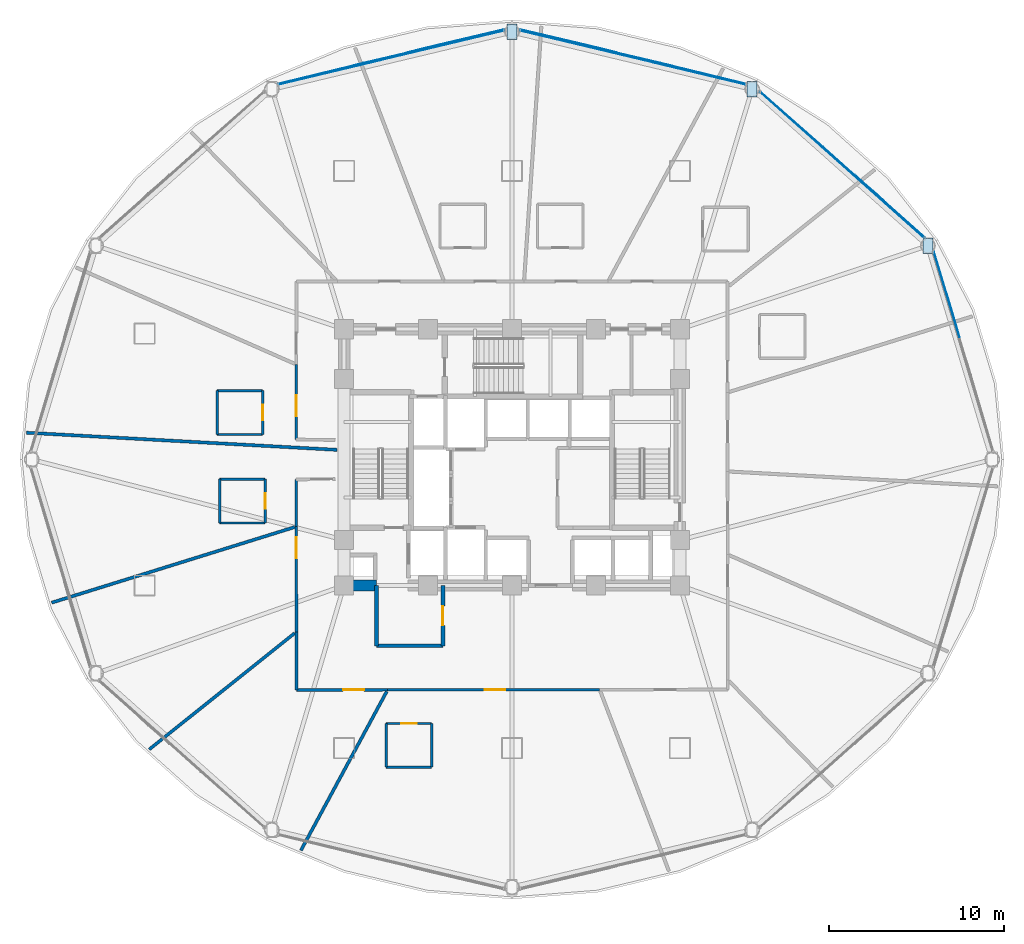
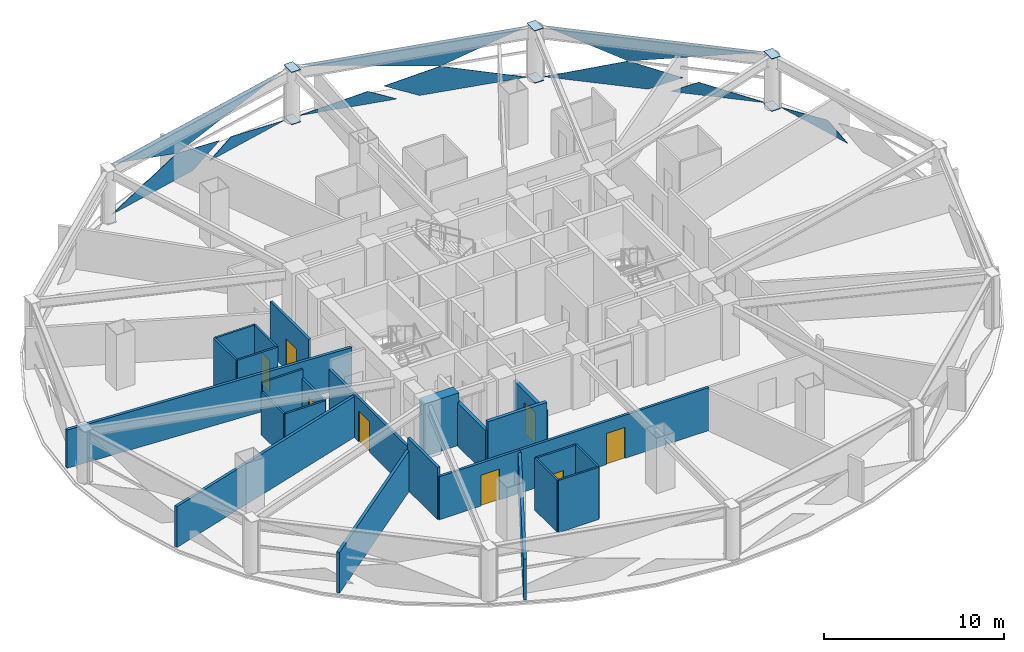
# One storey, part 21 of 29: 26 walls, 16 plates, 8 doors, 8 openings, 4 elements without a shape of their own.
"""IFC4 building model written with IfcOpenShell, lengths in metres."""

from ifc_helpers import new_model, si_unit, direction, frame, frame_2d, origin, place, context, subcontext, project, spatial, polyline, rectangle, outline, extrude, material, layer, layer_set, type_object, element, fill, aggregate, save


model = new_model("IFC4")

# Units and contexts
model_context = context("Model", 3, precision=1e-05, world=origin(), true_north=direction((0.0, 1.0)))
body_context = subcontext(model_context, "Body", "Model", "MODEL_VIEW")
ifc_project = project(units=[si_unit("LENGTHUNIT", "METRE"), si_unit("AREAUNIT", "SQUARE_METRE"), si_unit("VOLUMEUNIT", "CUBIC_METRE"), si_unit("PLANEANGLEUNIT", "RADIAN"), si_unit("MASSUNIT", "GRAM", prefix="KILO")], contexts=[model_context])

# Site, building, storey
site_placement = place(None, origin())
site = spatial("IfcSite", under=ifc_project, at=site_placement, CompositionType="ELEMENT")
building_placement = place(site_placement, origin())
building = spatial("IfcBuilding", under=site, at=building_placement, Name="Vantalir Tower", CompositionType="ELEMENT")
storey_placement = place(building_placement, frame((0.0, 0.0, 60.75)))
storey = spatial("IfcBuildingStorey", under=building, at=storey_placement, Name="L14", CompositionType="ELEMENT", Elevation=60.75)

# Curtain wall, plate
ifc_material_1 = material(Name="Champagne-silver PVDF aluminium and double-silver Low-E glass", Category="aluminium")
ifc_layer_1 = layer(ifc_material_1, 0.18994140625)
ifc_layer_set_1 = layer_set([ifc_layer_1], Name="Champagne-silver PVDF aluminium and double-silver Low-E glass")
curtain_wall_type = type_object("IfcCurtainWallType", Name="CW-DIAMOND-Z1", PredefinedType="USERDEFINED", material=ifc_layer_set_1)
curtain_wall_1_placement = place(storey_placement, origin())
curtain_wall_1 = element("IfcCurtainWall", 1, at=curtain_wall_1_placement, inside=storey, type_object=curtain_wall_type, Name="L14 Quilted Pyramid-Diamond Curtain Wall S01", ObjectType="UNITISED CURTAIN WALL", PredefinedType="USERDEFINED")
ifc_material_2 = material(Name="Double-silver Low-E laminated glass IGU", Category="glass")
ifc_layer_2 = layer(ifc_material_2, 0.028076171875)
ifc_layer_set_2 = layer_set([ifc_layer_2], Name="Double-silver Low-E laminated glass IGU")
plate_type_1 = type_object("IfcPlateType", Name="CWP-IGU-28", PredefinedType="CURTAIN_PANEL", material=ifc_layer_set_2)
plate_1_placement = place(storey_placement, frame((57.074951171875, 31.98486328125, 0.0458984375), z_axis=(-0.957584343686, -0.287831035464, 0.013620563553), x_axis=(-0.287857738351, 0.957673181451, 0.0)))
plate_1 = element("IfcPlate", 2, at=plate_1_placement, type_object=plate_type_1, Name="CW-L14-S01 Pyramid Diamond Facet 1L Infill Light", PredefinedType="CURTAIN_PANEL", context=body_context, shape_type="SweptSolid", body=[
    extrude(outline(polyline([(0.0, 0.0), (5.095561729215207, 3.469446951953614e-18), (1.5095760517465004, -0.8401658279177056), (0.0, 0.0)])), origin(), (0.0, 0.0, -1.0), 0.028076171875),
])
aggregate(curtain_wall_1, [plate_1])

# Curtain wall, plates
curtain_wall_2_placement = place(storey_placement, origin())
curtain_wall_2 = element("IfcCurtainWall", 3, at=curtain_wall_2_placement, inside=storey, type_object=curtain_wall_type, Name="L14 Quilted Pyramid-Diamond Curtain Wall S02", ObjectType="UNITISED CURTAIN WALL", PredefinedType="USERDEFINED")
plate_2_placement = place(storey_placement, frame((50.101318359375, 42.077880859375, 0.04638671875), z_axis=(-0.665430577439, -0.746331114261, 0.013856929516), x_axis=(-0.74640277864, 0.665494471831, -9.3571e-08)))
plate_2 = element("IfcPlate", 4, at=plate_2_placement, type_object=plate_type_1, Name="CW-L14-S02 Pyramid Diamond Facet 1L", PredefinedType="CURTAIN_PANEL", context=body_context, shape_type="SweptSolid", body=[
    extrude(outline(polyline([(0.0, 0.0), (5.91963288215384, 0.0), (1.129849224726367, -1.7274608843237511), (-1.9699994140132606, -1.0403823539236479), (0.0, 0.0)])), origin(), (0.0, 0.0, -1.0), 0.028076171875),
])
plate_3_placement = place(storey_placement, frame((55.097412109375, 37.66650390625, 0.0458984375), z_axis=(-0.665422862407, -0.746341680072, 0.013656894737), x_axis=(-0.746411290191, 0.665484925355, 0.0)))
plate_3 = element("IfcPlate", 5, at=plate_3_placement, type_object=plate_type_1, Name="CW-L14-S02 Pyramid Diamond Facet 1L Infill Light", PredefinedType="CURTAIN_PANEL", context=body_context, shape_type="SweptSolid", body=[
    extrude(outline(polyline([(0.0, 0.0), (5.403132344555869, 0.0), (3.806103783109671, -0.8435845318454129), (0.0, 0.0)])), origin(), (0.0, 0.0, -1.0), 0.028076171875),
])
plate_4_placement = place(storey_placement, frame((45.682861328125, 46.017333984375, 3.5234375), z_axis=(0.665414403352, 0.746346206497, 0.013820703979), x_axis=(0.746417318607, -0.665478163509, 1.9400565e-05)))
plate_4 = element("IfcPlate", 6, at=plate_4_placement, type_object=plate_type_1, Name="CW-L14-S02 Pyramid Diamond Facet 2U", PredefinedType="CURTAIN_PANEL", context=body_context, shape_type="SweptSolid", body=[
    extrude(outline(polyline([(0.0, 0.0), (12.584202124064442, -2.710505431213761e-18), (4.78975051187326, 1.7273086815380392), (0.0, 0.0)])), origin(), (0.0, 0.0, -1.0), 0.028076171875),
])
aggregate(curtain_wall_2, [plate_2, plate_3, plate_4])

curtain_wall_3_placement = place(storey_placement, origin())
curtain_wall_3 = element("IfcCurtainWall", 7, at=curtain_wall_3_placement, inside=storey, type_object=curtain_wall_type, Name="L14 Quilted Pyramid-Diamond Curtain Wall S03", ObjectType="UNITISED CURTAIN WALL", PredefinedType="USERDEFINED")
plate_5_placement = place(storey_placement, frame((44.849365234375, 46.45263671875, 0.04638671875), z_axis=(-0.232296859832, -0.972547952681, 0.013734942615), x_axis=(-0.972639701606, 0.232318769927, -3.18137e-07)))
plate_5 = element("IfcPlate", 8, at=plate_5_placement, type_object=plate_type_1, Name="CW-L14-S03 Pyramid Diamond Facet 1L", PredefinedType="CURTAIN_PANEL", context=body_context, shape_type="SweptSolid", body=[
    extrude(outline(polyline([(0.0, 0.0), (6.235513361636755, 0.0), (8.299988895672762, -1.0401398181489776), (5.034834961260884, -1.7277016524970057), (0.0, 0.0)])), origin(), (0.0, 0.0, -1.0), 0.028076171875),
])
plate_6_placement = place(storey_placement, frame((37.517822265625, 48.236572265625, 0.0458984375), z_axis=(-0.232302844514, -0.972548634222, 0.013584642232), x_axis=(-0.972638519349, 0.232323715624, -4.2872064e-05)))
plate_6 = element("IfcPlate", 9, at=plate_6_placement, type_object=plate_type_1, Name="CW-L14-S03 Pyramid Diamond Facet 1L Infill Light", PredefinedType="CURTAIN_PANEL", context=body_context, shape_type="SweptSolid", body=[
    extrude(outline(polyline([(0.0, 0.0), (5.694631920483472, -1.8431436932253575e-18), (1.6784409555623392, -0.8456089723794219), (0.0, 0.0)])), origin(), (0.0, 0.0, -1.0), 0.028076171875),
])
plate_7_placement = place(storey_placement, frame((31.9716796875, 49.5283203125, 3.523681640625), z_axis=(0.232282580176, 0.972551933364, 0.013694519232), x_axis=(0.972643142318, -0.232304364361, 0.0)))
plate_7 = element("IfcPlate", 10, at=plate_7_placement, type_object=plate_type_1, Name="CW-L14-S03 Pyramid Diamond Facet 2U", PredefinedType="CURTAIN_PANEL", context=body_context, shape_type="SweptSolid", body=[
    extrude(outline(polyline([(0.0, 0.0), (13.239887258321206, 0.0), (8.205052097336573, 1.727701076502787), (0.0, 0.0)])), origin(), (0.0, 0.0, -1.0), 0.028076171875),
])
aggregate(curtain_wall_3, [plate_5, plate_6, plate_7])

curtain_wall_4_placement = place(storey_placement, origin())
curtain_wall_4 = element("IfcCurtainWall", 11, at=curtain_wall_4_placement, inside=storey, type_object=curtain_wall_type, Name="L14 Quilted Pyramid-Diamond Curtain Wall S04", ObjectType="UNITISED CURTAIN WALL", PredefinedType="USERDEFINED")
plate_8_placement = place(storey_placement, frame((24.216064453125, 47.901123046875, 0.04638671875), z_axis=(0.232309059632, -0.972544915216, 0.013743678554), x_axis=(-0.972636780373, -0.232330999796, 2.41123e-07)))
plate_8 = element("IfcPlate", 12, at=plate_8_placement, type_object=plate_type_1, Name="CW-L14-S04 Pyramid Diamond Facet 1L", PredefinedType="CURTAIN_PANEL", context=body_context, shape_type="SweptSolid", body=[
    extrude(outline(polyline([(0.0, 0.0), (6.235038439025155, 6.938893903907228e-18), (1.2006779688590468, -1.7277019523825738), (-2.0644757954203614, -1.0401393036271245), (0.0, 0.0)])), origin(), (0.0, 0.0, -1.0), 0.028076171875),
])
plate_9_placement = place(storey_placement, frame((31.02099609375, 49.5595703125, 0.045654296875), z_axis=(0.232322133836, -0.972543641612, 0.013612174361), x_axis=(-0.972633890789, -0.232343092536, 4.287564e-05)))
plate_9 = element("IfcPlate", 13, at=plate_9_placement, type_object=plate_type_1, Name="CW-L14-S04 Pyramid Diamond Facet 1L Infill Light", PredefinedType="CURTAIN_PANEL", context=body_context, shape_type="SweptSolid", body=[
    extrude(outline(polyline([(0.0, 0.0), (5.694157000461418, -2.710505431213761e-20), (4.01595327885101, -0.8456092848580732), (0.0, 0.0)])), origin(), (0.0, 0.0, -1.0), 0.028076171875),
])
plate_10_placement = place(storey_placement, frame((18.151611328125, 46.45263671875, 3.523681640625), z_axis=(-0.232299195551, 0.972547743366, 0.013710237801), x_axis=(0.972639161455, 0.232321031341, 0.0)))
plate_10 = element("IfcPlate", 14, at=plate_10_placement, type_object=plate_type_1, Name="CW-L14-S04 Pyramid Diamond Facet 2U", PredefinedType="CURTAIN_PANEL", context=body_context, shape_type="SweptSolid", body=[
    extrude(outline(polyline([(0.0, 0.0), (13.238937413446246, 6.938893903907228e-18), (5.034360644213419, 1.7277014486880515), (0.0, 0.0)])), origin(), (0.0, 0.0, -1.0), 0.028076171875),
])
aggregate(curtain_wall_4, [plate_8, plate_9, plate_10])

# Plates
ifc_material_3 = material(Name="Steel S460", Category="steel")
ifc_layer_3 = layer(ifc_material_3, 0.035888671875)
ifc_layer_set_3 = layer_set([ifc_layer_3], Name="Steel S460")
plate_type_2 = type_object("IfcPlateType", Name="PLT-KN-Z2", PredefinedType="USERDEFINED", material=ifc_layer_set_3)
for number, where, z_axis, x_axis, name in (
    (15, (54.98291015625, 37.6650390625, 3.597900390625), (0.0, 0.0, 1.0), (0.0, -1.0, 0.0), "L14 Ring Column Top Cap RC02"),
    (16, (54.98291015625, 37.6650390625, 0.052978515625), (0.0, 0.0, 1.0), (0.0, -1.0, 0.0), "L14 Ring Column Base Cap RC02"),
):
    element("IfcPlate", number, at=place(storey_placement, frame(where, z_axis=z_axis, x_axis=x_axis)), inside=storey, type_object=plate_type_2, Name=name, ObjectType="FLANGE_PLATE", PredefinedType="USERDEFINED", context=body_context, shape_type="SweptSolid", body=[
        extrude(outline(polyline([(0.0, 0.0), (0.880126953125, 0.0), (0.880126953125, 0.580078125), (0.0, 0.580078125), (0.0, 0.0)])), origin(), (0.0, 0.0, -1.0), 0.035888671875),
    ])
for number, where, z_axis, x_axis, name in (
    (17, (44.93603515625, 46.614990234375, 3.597900390625), (0.0, 0.0, 1.0), (0.0, -1.0, 0.0), "L14 Ring Column Top Cap RC03"),
    (18, (44.93603515625, 46.614990234375, 0.052978515625), (0.0, 0.0, 1.0), (0.0, -1.0, 0.0), "L14 Ring Column Base Cap RC03"),
):
    element("IfcPlate", number, at=place(storey_placement, frame(where, z_axis=z_axis, x_axis=x_axis)), inside=storey, type_object=plate_type_2, Name=name, ObjectType="FLANGE_PLATE", PredefinedType="USERDEFINED", context=body_context, shape_type="SweptSolid", body=[
        extrude(outline(polyline([(0.0, 0.0), (0.8798828125, 0.0), (0.8798828125, 0.580078125), (0.0, 0.580078125), (0.0, 0.0)])), origin(), (0.0, 0.0, -1.0), 0.035888671875),
    ])
for number, where, z_axis, x_axis, name in (
    (19, (31.2099609375, 49.89111328125, 3.597900390625), (0.0, 0.0, 1.0), (0.0, -1.0, 0.0), "L14 Ring Column Top Cap RC04"),
    (20, (31.2099609375, 49.89111328125, 0.052978515625), (0.0, 0.0, 1.0), (0.0, -1.0, 0.0), "L14 Ring Column Base Cap RC04"),
):
    element("IfcPlate", number, at=place(storey_placement, frame(where, z_axis=z_axis, x_axis=x_axis)), inside=storey, type_object=plate_type_2, Name=name, ObjectType="FLANGE_PLATE", PredefinedType="USERDEFINED", context=body_context, shape_type="SweptSolid", body=[
        extrude(outline(polyline([(0.0, 0.0), (0.880126953125, 0.0), (0.880126953125, 0.580078125), (0.0, 0.580078125), (0.0, 0.0)])), origin(), (0.0, 0.0, -1.0), 0.035888671875),
    ])

# Walls
ifc_material_4 = material(Name="Moisture-resistant en-suite partition", Category="gypsum")
ifc_layer_4 = layer(ifc_material_4, 0.125)
ifc_layer_set_4 = layer_set([ifc_layer_4], Name="Moisture-resistant en-suite partition")
wall_type_1 = type_object("IfcWallType", Name="WL-BATH-125", PredefinedType="PARTITIONING", material=ifc_layer_set_4)
for number, where, z_axis, x_axis, name in (
    (21, (14.64697265625, 26.43505859375, 0.0), (0.0, 0.0, 1.0), (1.0, 0.0, 0.0), "L14 En-suite 07 South Wall"),
    (22, (14.64697265625, 28.93505859375, 0.0), (0.0, 0.0, 1.0), (1.0, 0.0, 0.0), "L14 En-suite 07 North Wall"),
):
    element("IfcWall", number, at=place(storey_placement, frame(where, z_axis=z_axis, x_axis=x_axis)), inside=storey, type_object=wall_type_1, Name=name, PredefinedType="PARTITIONING", context=body_context, shape_type="SweptSolid", body=[
        extrude(rectangle(XDim=2.60009765625, YDim=0.125, at=frame_2d((1.300048828125, 0.0))), origin(), (0.0, 0.0, 1.0), 3.550048828125),
    ])
wall_1_placement = place(storey_placement, frame((14.64697265625, 26.43505859375, 0.0), z_axis=(0.0, 0.0, 1.0), x_axis=(0.0, 1.0, 0.0)))
element("IfcWall", 23, at=wall_1_placement, inside=storey, type_object=wall_type_1, Name="L14 En-suite 07 West Wall", PredefinedType="PARTITIONING", context=body_context, shape_type="SweptSolid", body=[
    extrude(rectangle(XDim=2.5, YDim=0.125, at=frame_2d((1.25, 0.0))), origin(), (0.0, 0.0, 1.0), 3.550048828125),
])

# Wall, opening, door
wall_2_placement = place(storey_placement, frame((17.2470703125, 26.43505859375, 0.0), z_axis=(0.0, 0.0, 1.0), x_axis=(0.0, 1.0, 0.0)))
wall_2 = element("IfcWall", 24, at=wall_2_placement, inside=storey, type_object=wall_type_1, Name="L14 En-suite 07 East Wall", PredefinedType="PARTITIONING", context=body_context, shape_type="SweptSolid", body=[
    extrude(rectangle(XDim=2.5, YDim=0.125, at=frame_2d((1.25, 0.0))), origin(), (0.0, 0.0, 1.0), 3.550048828125),
])
opening_1_placement = place(wall_2_placement, frame((0.800048828125, 0.0, 0.0)))
opening_1 = element("IfcOpeningElement", 25, at=opening_1_placement, cuts=wall_2, Name="Opening D-WC", PredefinedType="OPENING", context=body_context, shape_type="SweptSolid", body=[
    extrude(rectangle(XDim=0.89990234375, YDim=2.10009765625, at=frame_2d((0.449951171875, 1.050048828125))), frame((0.0, 0.072509765625, 0.0), z_axis=(0.0, -1.0, 0.0), x_axis=(1.0, 0.0, 0.0)), (0.0, 0.0, 1.0), 0.14501953125),
])
ifc_material_5 = material(Name="Moisture-resistant hardwood door", Category="wood")
door_type_1 = type_object("IfcDoorType", Name="DR-ENSUITE-900", OperationType="NOTDEFINED", PredefinedType="DOOR", material=ifc_material_5)
door_1_placement = place(opening_1_placement, origin())
door_1 = element("IfcDoor", 26, at=door_1_placement, inside=storey, type_object=door_type_1, Name="L14 En-suite 07 Door", OperationType="SINGLE_SWING_RIGHT", OverallHeight=2.10009765625, OverallWidth=0.89990234375, PredefinedType="DOOR", context=body_context, shape_type="SweptSolid", body=[
    extrude(rectangle(XDim=0.89990234375, YDim=2.10009765625, at=frame_2d((0.449951171875, 1.050048828125))), frame((0.0, 0.02490234375, 0.0), z_axis=(0.0, -1.0, 0.0), x_axis=(1.0, 0.0, 0.0)), (0.0, 0.0, 1.0), 0.050048828125),
])
fill(opening_1, door_1)

# Walls
wall_3_placement = place(storey_placement, frame((14.7919921875, 21.375, 0.0), z_axis=(0.0, 0.0, 1.0), x_axis=(1.0, 0.0, 0.0)))
element("IfcWall", 27, at=wall_3_placement, inside=storey, type_object=wall_type_1, Name="L14 En-suite 08 South Wall", PredefinedType="PARTITIONING", context=body_context, shape_type="SweptSolid", body=[
    extrude(rectangle(XDim=2.60009765625, YDim=0.125, at=frame_2d((1.300048828125, 0.0))), origin(), (0.0, 0.0, 1.0), 2.927978515625),
])
wall_4_placement = place(storey_placement, frame((14.7919921875, 23.875, 0.0), z_axis=(0.0, 0.0, 1.0), x_axis=(1.0, 0.0, 0.0)))
element("IfcWall", 28, at=wall_4_placement, inside=storey, type_object=wall_type_1, Name="L14 En-suite 08 North Wall", PredefinedType="PARTITIONING", context=body_context, shape_type="SweptSolid", body=[
    extrude(rectangle(XDim=2.60009765625, YDim=0.125, at=frame_2d((1.300048828125, 0.0))), origin(), (0.0, 0.0, 1.0), 3.550048828125),
])
wall_5_placement = place(storey_placement, frame((14.7919921875, 21.375, 0.0), z_axis=(0.0, 0.0, 1.0), x_axis=(0.0, 1.0, 0.0)))
element("IfcWall", 29, at=wall_5_placement, inside=storey, type_object=wall_type_1, Name="L14 En-suite 08 West Wall", PredefinedType="PARTITIONING", context=body_context, shape_type="SweptSolid", body=[
    extrude(rectangle(XDim=2.5, YDim=0.125, at=frame_2d((1.25, 0.0))), origin(), (0.0, 0.0, 1.0), 2.927978515625),
])

# Wall, opening, door
wall_6_placement = place(storey_placement, frame((17.39208984375, 21.375, 0.0), z_axis=(0.0, 0.0, 1.0), x_axis=(0.0, 1.0, 0.0)))
wall_6 = element("IfcWall", 30, at=wall_6_placement, inside=storey, type_object=wall_type_1, Name="L14 En-suite 08 East Wall", PredefinedType="PARTITIONING", context=body_context, shape_type="SweptSolid", body=[
    extrude(rectangle(XDim=2.5, YDim=0.125, at=frame_2d((1.25, 0.0))), origin(), (0.0, 0.0, 1.0), 2.927978515625),
])
opening_2_placement = place(wall_6_placement, frame((0.800048828125, 0.0, 0.0)))
opening_2 = element("IfcOpeningElement", 31, at=opening_2_placement, cuts=wall_6, Name="Opening D-WC", PredefinedType="OPENING", context=body_context, shape_type="SweptSolid", body=[
    extrude(rectangle(XDim=0.89990234375, YDim=2.10009765625, at=frame_2d((0.449951171875, 1.050048828125))), frame((0.0, 0.072509765625, 0.0), z_axis=(0.0, -1.0, 0.0), x_axis=(1.0, 0.0, 0.0)), (0.0, 0.0, 1.0), 0.14501953125),
])
door_2_placement = place(opening_2_placement, origin())
door_2 = element("IfcDoor", 32, at=door_2_placement, inside=storey, type_object=door_type_1, Name="L14 En-suite 08 Door", OperationType="SINGLE_SWING_LEFT", OverallHeight=2.10009765625, OverallWidth=0.89990234375, PredefinedType="DOOR", context=body_context, shape_type="SweptSolid", body=[
    extrude(rectangle(XDim=0.89990234375, YDim=2.10009765625, at=frame_2d((0.449951171875, 1.050048828125))), frame((0.0, 0.02490234375, 0.0), z_axis=(0.0, -1.0, 0.0), x_axis=(1.0, 0.0, 0.0)), (0.0, 0.0, 1.0), 0.050048828125),
])
fill(opening_2, door_2)

# Wall
wall_7_placement = place(storey_placement, frame((24.31005859375, 7.410888671875, 0.0), z_axis=(0.0, 0.0, 1.0), x_axis=(1.0, 0.0, 0.0)))
element("IfcWall", 33, at=wall_7_placement, inside=storey, type_object=wall_type_1, Name="L14 En-suite 11 South Wall", PredefinedType="PARTITIONING", context=body_context, shape_type="SweptSolid", body=[
    extrude(rectangle(XDim=2.599853515625, YDim=0.125, at=frame_2d((1.2998046875, 0.0))), origin(), (0.0, 0.0, 1.0), 3.550048828125),
])

# Wall, opening, door
wall_8_placement = place(storey_placement, frame((24.31005859375, 9.910888671875, 0.0), z_axis=(0.0, 0.0, 1.0), x_axis=(1.0, 0.0, 0.0)))
wall_8 = element("IfcWall", 34, at=wall_8_placement, inside=storey, type_object=wall_type_1, Name="L14 En-suite 11 North Wall", PredefinedType="PARTITIONING", context=body_context, shape_type="SweptSolid", body=[
    extrude(rectangle(XDim=2.599853515625, YDim=0.125, at=frame_2d((1.2998046875, 0.0))), origin(), (0.0, 0.0, 1.0), 3.550048828125),
])
opening_3_placement = place(wall_8_placement, frame((0.85009765625, 0.0, 0.0)))
opening_3 = element("IfcOpeningElement", 35, at=opening_3_placement, cuts=wall_8, Name="Opening D-WC", PredefinedType="OPENING", context=body_context, shape_type="SweptSolid", body=[
    extrude(rectangle(XDim=0.89990234375, YDim=2.10009765625, at=frame_2d((0.449951171875, 1.050048828125))), frame((0.0, 0.072509765625, 0.0), z_axis=(0.0, -1.0, 0.0), x_axis=(1.0, 0.0, 0.0)), (0.0, 0.0, 1.0), 0.14501953125),
])
door_3_placement = place(opening_3_placement, frame((0.89990234375, 0.0, 0.0), z_axis=(0.0, 0.0, 1.0), x_axis=(-1.0, 0.0, 0.0)))
door_3 = element("IfcDoor", 36, at=door_3_placement, inside=storey, type_object=door_type_1, Name="L14 En-suite 11 Door", OperationType="SINGLE_SWING_RIGHT", OverallHeight=2.10009765625, OverallWidth=0.89990234375, PredefinedType="DOOR", context=body_context, shape_type="SweptSolid", body=[
    extrude(rectangle(XDim=0.89990234375, YDim=2.10009765625, at=frame_2d((0.449951171875, 1.050048828125))), frame((0.0, 0.02490234375, 0.0), z_axis=(0.0, -1.0, 0.0), x_axis=(1.0, 0.0, 0.0)), (0.0, 0.0, 1.0), 0.050048828125),
])
fill(opening_3, door_3)

# Walls
for number, where, z_axis, x_axis, name in (
    (37, (24.31005859375, 7.410888671875, 0.0), (0.0, 0.0, 1.0), (0.0, 1.0, 0.0), "L14 En-suite 11 West Wall"),
    (38, (26.909912109375, 7.410888671875, 0.0), (0.0, 0.0, 1.0), (0.0, 1.0, 0.0), "L14 En-suite 11 East Wall"),
):
    element("IfcWall", number, at=place(storey_placement, frame(where, z_axis=z_axis, x_axis=x_axis)), inside=storey, type_object=wall_type_1, Name=name, PredefinedType="PARTITIONING", context=body_context, shape_type="SweptSolid", body=[
        extrude(rectangle(XDim=2.5, YDim=0.125, at=frame_2d((1.25, 0.0))), origin(), (0.0, 0.0, 1.0), 3.550048828125),
    ])
ifc_material_6 = material(Name="Concrete C60/75", Category="concrete")
ifc_layer_5 = layer(ifc_material_6, 0.64990234375)
ifc_layer_set_5 = layer_set([ifc_layer_5], Name="Concrete C60/75")
wall_type_2 = type_object("IfcWallType", Name="WL-CORE-650", PredefinedType="SHEAR", material=ifc_layer_set_5)
wall_9_placement = place(storey_placement, frame((21.574951171875, 17.800048828125, 0.0), z_axis=(0.0, 0.0, 1.0), x_axis=(1.0, 0.0, 0.0)))
element("IfcWall", 39, at=wall_9_placement, inside=storey, type_object=wall_type_2, Name="L14 Core Shear Wall South-West", PredefinedType="SHEAR", context=body_context, shape_type="SweptSolid", body=[
    extrude(rectangle(XDim=2.175048828125, YDim=0.64990234375, at=frame_2d((1.08740234375, 0.0))), origin(), (0.0, 0.0, 1.0), 3.570068359375),
])

# Wall, opening, door
ifc_material_7 = material(Name="Fire-rated hotel corridor acoustic partition", Category="gypsum")
ifc_layer_6 = layer(ifc_material_7, 0.159912109375)
ifc_layer_set_6 = layer_set([ifc_layer_6], Name="Fire-rated hotel corridor acoustic partition")
wall_type_3 = type_object("IfcWallType", Name="WL-CORR-160", PredefinedType="PARTITIONING", material=ifc_layer_set_6)
wall_10_placement = place(storey_placement, frame((19.160888671875, 26.14208984375, 0.0), z_axis=(0.0, 0.0, 1.0), x_axis=(0.002105737748, 0.999997782932, 0.0)))
wall_10 = element("IfcWall", 40, at=wall_10_placement, inside=storey, type_object=wall_type_3, Name="L14 Corridor Partition 02", PredefinedType="PARTITIONING", context=body_context, shape_type="SweptSolid", body=[
    extrude(rectangle(XDim=4.289794921875, YDim=0.159912109375, at=frame_2d((2.14501953125, 0.0))), origin(), (0.0, 0.0, 1.0), 3.550048828125),
])
opening_4_placement = place(wall_10_placement, frame((1.325927734375, 0.0, 0.0)))
opening_4 = element("IfcOpeningElement", 41, at=opening_4_placement, cuts=wall_10, Name="Opening D-STE", PredefinedType="OPENING", context=body_context, shape_type="SweptSolid", body=[
    extrude(rectangle(XDim=1.199951171875, YDim=2.10009765625, at=frame_2d((0.60009765625, 1.050048828125))), frame((0.0, 0.08984375, 0.0), z_axis=(0.0, -1.0, 0.0), x_axis=(1.0, 0.0, 0.0)), (0.0, 0.0, 1.0), 0.179931640625),
])
ifc_material_8 = material(Name="Solid-core teak veneer suite entrance door", Category="wood")
door_type_2 = type_object("IfcDoorType", Name="DR-SUITE-ENTRY-1200", OperationType="NOTDEFINED", PredefinedType="DOOR", material=ifc_material_8)
door_4_placement = place(opening_4_placement, origin())
door_4 = element("IfcDoor", 42, at=door_4_placement, inside=storey, type_object=door_type_2, Name="L14 Executive Club Hotel Suite 07 Door", OperationType="SINGLE_SWING_RIGHT", OverallHeight=2.10009765625, OverallWidth=1.199951171875, PredefinedType="DOOR", context=body_context, shape_type="SweptSolid", body=[
    extrude(rectangle(XDim=1.199951171875, YDim=2.10009765625, at=frame_2d((0.60009765625, 1.050048828125))), frame((0.0, 0.02490234375, 0.0), z_axis=(0.0, -1.0, 0.0), x_axis=(1.0, 0.0, 0.0)), (0.0, 0.0, 1.0), 0.050048828125),
])
fill(opening_4, door_4)

wall_11_placement = place(storey_placement, frame((36.51611328125, 11.841064453125, 0.0), z_axis=(0.0, 0.0, 1.0), x_axis=(-0.999999779288, -0.00066439817, 0.0)))
wall_11 = element("IfcWall", 43, at=wall_11_placement, inside=storey, type_object=wall_type_3, Name="L14 Corridor Partition 15", PredefinedType="PARTITIONING", context=body_context, shape_type="SweptSolid", body=[
    extrude(rectangle(XDim=12.126220703125, YDim=0.159912109375, at=frame_2d((6.06298828125, 0.0))), origin(), (0.0, 0.0, 1.0), 2.927978515625),
])
opening_5_placement = place(wall_11_placement, frame((5.387939453125, 0.0, 0.0)))
opening_5 = element("IfcOpeningElement", 44, at=opening_5_placement, cuts=wall_11, Name="Opening D-STE", PredefinedType="OPENING", context=body_context, shape_type="SweptSolid", body=[
    extrude(rectangle(XDim=1.199951171875, YDim=2.10009765625, at=frame_2d((0.60009765625, 1.050048828125))), frame((0.0, 0.08984375, 0.0), z_axis=(0.0, -1.0, 0.0), x_axis=(1.0, 0.0, 0.0)), (0.0, 0.0, 1.0), 0.179931640625),
])
door_5_placement = place(opening_5_placement, origin())
door_5 = element("IfcDoor", 45, at=door_5_placement, inside=storey, type_object=door_type_2, Name="L14 Executive Club Hotel Suite 11 Door", OperationType="SINGLE_SWING_RIGHT", OverallHeight=2.10009765625, OverallWidth=1.199951171875, PredefinedType="DOOR", context=body_context, shape_type="SweptSolid", body=[
    extrude(rectangle(XDim=1.199951171875, YDim=2.10009765625, at=frame_2d((0.60009765625, 1.050048828125))), frame((0.0, 0.02490234375, 0.0), z_axis=(0.0, -1.0, 0.0), x_axis=(1.0, 0.0, 0.0)), (0.0, 0.0, 1.0), 0.050048828125),
])
fill(opening_5, door_5)

wall_12_placement = place(storey_placement, frame((24.389892578125, 11.8330078125, 0.0), z_axis=(0.0, 0.0, 1.0), x_axis=(-0.999999841836, -0.000562429607, 0.0)))
wall_12 = element("IfcWall", 46, at=wall_12_placement, inside=storey, type_object=wall_type_3, Name="L14 Corridor Partition 16", PredefinedType="PARTITIONING", context=body_context, shape_type="SweptSolid", body=[
    extrude(rectangle(XDim=5.208984375, YDim=0.159912109375, at=frame_2d((2.6044921875, 0.0))), origin(), (0.0, 0.0, 1.0), 2.927978515625),
])
opening_6_placement = place(wall_12_placement, frame((1.340087890625, 0.0, 0.0)))
opening_6 = element("IfcOpeningElement", 47, at=opening_6_placement, cuts=wall_12, Name="Opening D-STE", PredefinedType="OPENING", context=body_context, shape_type="SweptSolid", body=[
    extrude(rectangle(XDim=1.199951171875, YDim=2.10009765625, at=frame_2d((0.60009765625, 1.050048828125))), frame((0.0, 0.08984375, 0.0), z_axis=(0.0, -1.0, 0.0), x_axis=(1.0, 0.0, 0.0)), (0.0, 0.0, 1.0), 0.179931640625),
])
door_6_placement = place(opening_6_placement, origin())
door_6 = element("IfcDoor", 48, at=door_6_placement, inside=storey, type_object=door_type_2, Name="L14 Executive Sky Boardroom 10 Door", OperationType="SINGLE_SWING_LEFT", OverallHeight=2.10009765625, OverallWidth=1.199951171875, PredefinedType="DOOR", context=body_context, shape_type="SweptSolid", body=[
    extrude(rectangle(XDim=1.199951171875, YDim=2.10009765625, at=frame_2d((0.60009765625, 1.050048828125))), frame((0.0, 0.02490234375, 0.0), z_axis=(0.0, -1.0, 0.0), x_axis=(1.0, 0.0, 0.0)), (0.0, 0.0, 1.0), 0.050048828125),
])
fill(opening_6, door_6)

# Wall
wall_13_placement = place(storey_placement, frame((19.180908203125, 11.830078125, 0.0), z_axis=(0.0, 0.0, 1.0), x_axis=(-0.001470370415, 0.999998919005, 0.0)))
element("IfcWall", 49, at=wall_13_placement, inside=storey, type_object=wall_type_3, Name="L14 Corridor Partition 17", PredefinedType="PARTITIONING", context=body_context, shape_type="SweptSolid", body=[
    extrude(rectangle(XDim=3.32080078125, YDim=0.159912109375, at=frame_2d((1.660400390625, 0.0))), origin(), (0.0, 0.0, 1.0), 3.550048828125),
])

# Wall, opening, door
wall_14_placement = place(storey_placement, frame((19.176025390625, 15.15087890625, 0.0), z_axis=(0.0, 0.0, 1.0), x_axis=(-0.001827037145, 0.999998330966, 0.0)))
wall_14 = element("IfcWall", 50, at=wall_14_placement, inside=storey, type_object=wall_type_3, Name="L14 Corridor Partition 18", PredefinedType="PARTITIONING", context=body_context, shape_type="SweptSolid", body=[
    extrude(rectangle(XDim=6.01318359375, YDim=0.159912109375, at=frame_2d((3.006591796875, 0.0))), origin(), (0.0, 0.0, 1.0), 2.927978515625),
])
opening_7_placement = place(wall_14_placement, frame((4.2041015625, 0.0, 0.0)))
opening_7 = element("IfcOpeningElement", 51, at=opening_7_placement, cuts=wall_14, Name="Opening D-STE", PredefinedType="OPENING", context=body_context, shape_type="SweptSolid", body=[
    extrude(rectangle(XDim=1.199951171875, YDim=2.10009765625, at=frame_2d((0.60009765625, 1.050048828125))), frame((0.0, 0.08984375, 0.0), z_axis=(0.0, -1.0, 0.0), x_axis=(1.0, 0.0, 0.0)), (0.0, 0.0, 1.0), 0.179931640625),
])
door_7_placement = place(opening_7_placement, origin())
door_7 = element("IfcDoor", 52, at=door_7_placement, inside=storey, type_object=door_type_2, Name="L14 Executive Sky Boardroom 09 Door", OperationType="SINGLE_SWING_RIGHT", OverallHeight=2.10009765625, OverallWidth=1.199951171875, PredefinedType="DOOR", context=body_context, shape_type="SweptSolid", body=[
    extrude(rectangle(XDim=1.199951171875, YDim=2.10009765625, at=frame_2d((0.60009765625, 1.050048828125))), frame((0.0, 0.02490234375, 0.0), z_axis=(0.0, -1.0, 0.0), x_axis=(1.0, 0.0, 0.0)), (0.0, 0.0, 1.0), 0.050048828125),
])
fill(opening_7, door_7)

# Walls
wall_15_placement = place(storey_placement, frame((19.1650390625, 21.1640625, 0.0), z_axis=(0.0, 0.0, 1.0), x_axis=(-0.001540690577, 0.999998813136, 0.0)))
element("IfcWall", 53, at=wall_15_placement, inside=storey, type_object=wall_type_3, Name="L14 Corridor Partition 19", PredefinedType="PARTITIONING", context=body_context, shape_type="SweptSolid", body=[
    extrude(rectangle(XDim=2.69384765625, YDim=0.159912109375, at=frame_2d((1.346923828125, 0.0))), origin(), (0.0, 0.0, 1.0), 2.927978515625),
])
ifc_material_9 = material(Name="Concrete blockwork with fireboard lining", Category="masonry")
ifc_layer_7 = layer(ifc_material_9, 0.219970703125)
ifc_layer_set_7 = layer_set([ifc_layer_7], Name="Concrete blockwork with fireboard lining")
wall_type_4 = type_object("IfcWallType", Name="WL-FFL-220", PredefinedType="PARTITIONING", material=ifc_layer_set_7)
wall_16_placement = place(storey_placement, frame((23.75, 14.35009765625, 0.0), z_axis=(0.0, 0.0, 1.0), x_axis=(0.0, 1.0, 0.0)))
element("IfcWall", 54, at=wall_16_placement, inside=storey, type_object=wall_type_4, Name="L14 Firefighting Lobby West Outer W", PredefinedType="PARTITIONING", context=body_context, shape_type="SweptSolid", body=[
    extrude(rectangle(XDim=3.449951171875, YDim=0.219970703125, at=frame_2d((1.72509765625, 0.0))), origin(), (0.0, 0.0, 1.0), 2.927978515625),
])
wall_17_placement = place(storey_placement, frame((23.75, 14.35009765625, 0.0), z_axis=(0.0, 0.0, 1.0), x_axis=(1.0, 0.0, 0.0)))
element("IfcWall", 55, at=wall_17_placement, inside=storey, type_object=wall_type_4, Name="L14 Firefighting Lobby West South Wall", PredefinedType="PARTITIONING", context=body_context, shape_type="SweptSolid", body=[
    extrude(rectangle(XDim=3.800048828125, YDim=0.219970703125, at=frame_2d((1.89990234375, 0.0))), origin(), (0.0, 0.0, 1.0), 3.550048828125),
])

# Wall, opening, door
wall_18_placement = place(storey_placement, frame((27.550048828125, 14.35009765625, 0.0), z_axis=(0.0, 0.0, 1.0), x_axis=(0.0, 1.0, 0.0)))
wall_18 = element("IfcWall", 56, at=wall_18_placement, inside=storey, type_object=wall_type_4, Name="L14 Firefighting Lobby West East Wall", PredefinedType="PARTITIONING", context=body_context, shape_type="SweptSolid", body=[
    extrude(rectangle(XDim=3.449951171875, YDim=0.219970703125, at=frame_2d((1.72509765625, 0.0))), origin(), (0.0, 0.0, 1.0), 2.927978515625),
])
opening_8_placement = place(wall_18_placement, frame((1.175048828125, 0.0, 0.0)))
opening_8 = element("IfcOpeningElement", 57, at=opening_8_placement, cuts=wall_18, Name="Opening D-FFL", PredefinedType="OPENING", context=body_context, shape_type="SweptSolid", body=[
    extrude(rectangle(XDim=1.10009765625, YDim=2.10009765625, at=frame_2d((0.550048828125, 1.050048828125))), frame((0.0, 0.119873046875, 0.0), z_axis=(0.0, -1.0, 0.0), x_axis=(1.0, 0.0, 0.0)), (0.0, 0.0, 1.0), 0.239990234375),
])
ifc_material_10 = material(Name="Fire-rated acoustic steel door", Category="steel")
door_type_3 = type_object("IfcDoorType", Name="DR-FIRE-LOBBY-1100", OperationType="NOTDEFINED", PredefinedType="DOOR", material=ifc_material_10)
door_8_placement = place(opening_8_placement, origin())
door_8 = element("IfcDoor", 58, at=door_8_placement, inside=storey, type_object=door_type_3, Name="L14 Firefighting Lobby West Access Door", OperationType="SINGLE_SWING_LEFT", OverallHeight=2.10009765625, OverallWidth=1.10009765625, PredefinedType="DOOR", context=body_context, shape_type="SweptSolid", body=[
    extrude(rectangle(XDim=1.10009765625, YDim=2.10009765625, at=frame_2d((0.550048828125, 1.050048828125))), frame((0.0, 0.02490234375, 0.0), z_axis=(0.0, -1.0, 0.0), x_axis=(1.0, 0.0, 0.0)), (0.0, 0.0, 1.0), 0.050048828125),
])
fill(opening_8, door_8)

# Walls
ifc_material_11 = material(Name="Twin-stud acoustic fire-rated gypsum partition", Category="gypsum")
ifc_layer_8 = layer(ifc_material_11, 0.179931640625)
ifc_layer_set_8 = layer_set([ifc_layer_8], Name="Twin-stud acoustic fire-rated gypsum partition")
wall_type_5 = type_object("IfcWallType", Name="WL-GUEST-180", PredefinedType="PARTITIONING", material=ifc_layer_set_8)
wall_19_placement = place(storey_placement, frame((21.5, 25.552001953125, 0.0), z_axis=(0.0, 0.0, 1.0), x_axis=(-0.998476368936, 0.055180981107, 0.0)))
element("IfcWall", 59, at=wall_19_placement, inside=storey, type_object=wall_type_5, Name="L14 Radial Suite Partition 08", PredefinedType="PARTITIONING", context=body_context, shape_type="SweptSolid", body=[
    extrude(rectangle(XDim=17.777099609375, YDim=0.179931640625, at=frame_2d((8.888671875, 0.0))), origin(), (0.0, 0.0, 1.0), 2.594970703125),
])
wall_20_placement = place(storey_placement, frame((19.0849609375, 21.138916015625, 0.0), z_axis=(0.0, 0.0, 1.0), x_axis=(-0.954884570259, -0.296977200271, 0.0)))
element("IfcWall", 60, at=wall_20_placement, inside=storey, type_object=wall_type_5, Name="L14 Radial Suite Partition 09", PredefinedType="PARTITIONING", context=body_context, shape_type="SweptSolid", body=[
    extrude(rectangle(XDim=14.56005859375, YDim=0.179931640625, at=frame_2d((7.280029296875, 0.0))), origin(), (0.0, 0.0, 1.0), 2.77490234375),
])
wall_21_placement = place(storey_placement, frame((19.0849609375, 15.0791015625, 0.0), z_axis=(0.0, 0.0, 1.0), x_axis=(-0.781201807071, -0.624278572938, 0.0)))
element("IfcWall", 61, at=wall_21_placement, inside=storey, type_object=wall_type_5, Name="L14 Radial Suite Partition 10", PredefinedType="PARTITIONING", context=body_context, shape_type="SweptSolid", body=[
    extrude(rectangle(XDim=10.654052734375, YDim=0.179931640625, at=frame_2d((5.3271484375, 0.0))), origin(), (0.0, 0.0, 1.0), 2.77490234375),
])
wall_22_placement = place(storey_placement, frame((24.344970703125, 11.75, 0.0), z_axis=(0.0, 0.0, 1.0), x_axis=(-0.475165367646, -0.879896512887, 0.0)))
element("IfcWall", 62, at=wall_22_placement, inside=storey, type_object=wall_type_5, Name="L14 Radial Suite Partition 11", PredefinedType="PARTITIONING", context=body_context, shape_type="SweptSolid", body=[
    extrude(rectangle(XDim=10.33984375, YDim=0.179931640625, at=frame_2d((5.169921875, 0.0))), origin(), (0.0, 0.0, 1.0), 2.77490234375),
])

save(model, "model.ifc")
